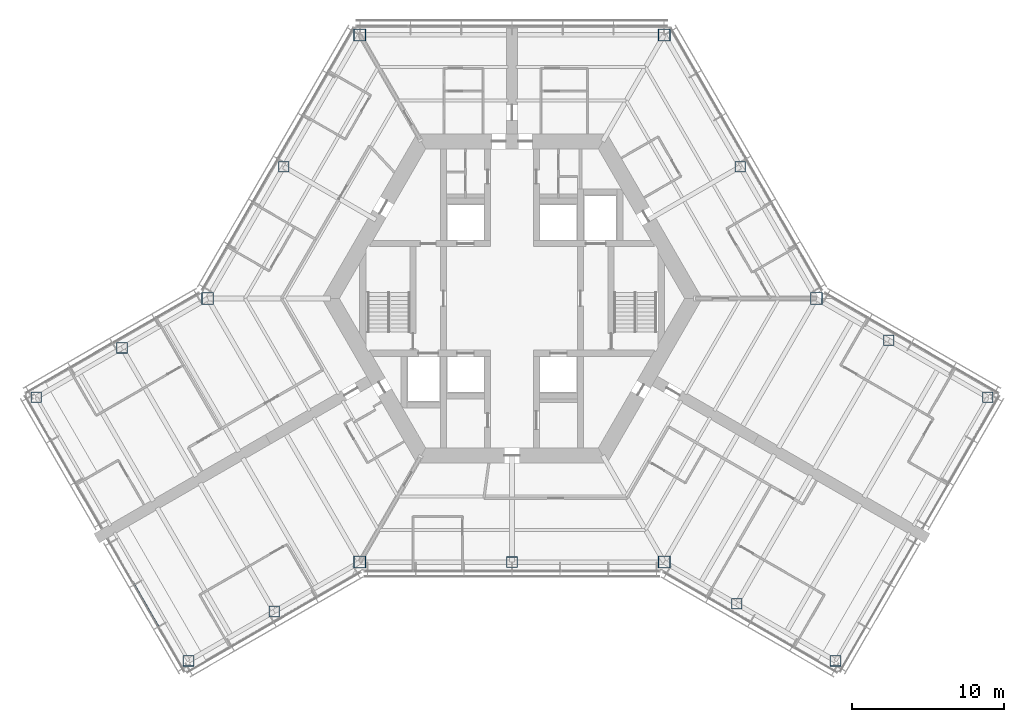
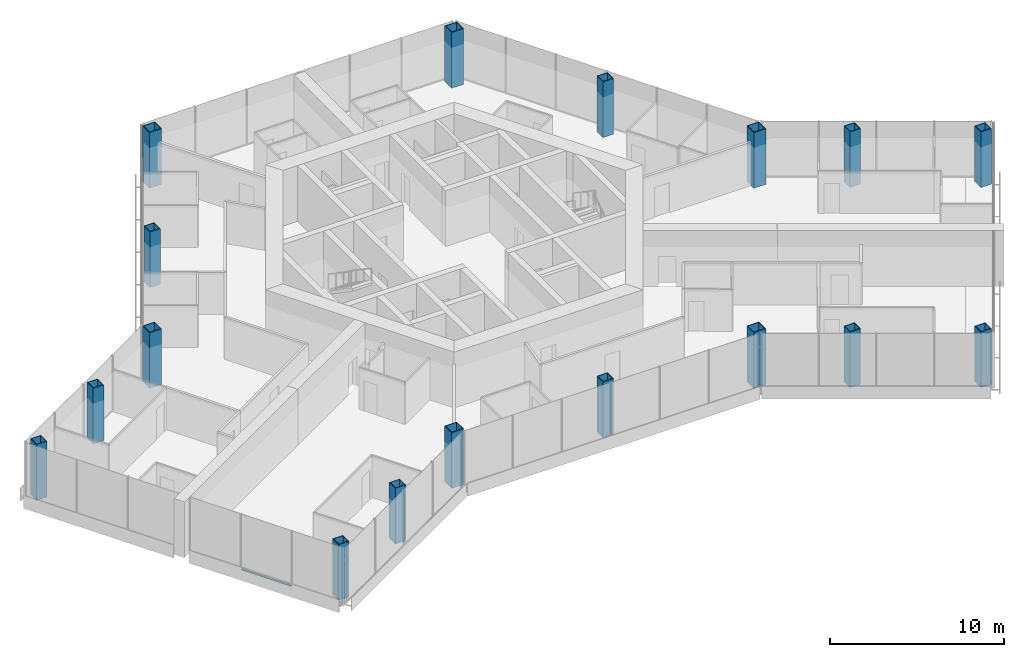
# One storey, part 1 of 18: 17 columns, 1 member, 1 element without a shape of its own.
"""IFC4 building model written with IfcOpenShell, lengths in metres."""

from ifc_helpers import new_model, si_unit, direction, frame, origin, origin_2d, place, context, subcontext, project, spatial, rectangle, hollow_rectangle, extrude, material, material_profile, profile_set, type_object, element, aggregate, save


model = new_model("IFC4")

# Units and contexts
model_context = context("Model", 3, precision=1e-05, world=origin(), true_north=direction((0.0, 1.0)))
body_context = subcontext(model_context, "Body", "Model", "MODEL_VIEW")
ifc_project = project(units=[si_unit("LENGTHUNIT", "METRE"), si_unit("AREAUNIT", "SQUARE_METRE"), si_unit("VOLUMEUNIT", "CUBIC_METRE"), si_unit("PLANEANGLEUNIT", "RADIAN"), si_unit("MASSUNIT", "GRAM", prefix="KILO")], contexts=[model_context])

# Site, building, storey
site_placement = place(None, origin())
site = spatial("IfcSite", under=ifc_project, at=site_placement, CompositionType="ELEMENT")
building_placement = place(site_placement, origin())
building = spatial("IfcBuilding", under=site, at=building_placement, Name="Kasaneha Research Tower", CompositionType="ELEMENT")
storey_placement = place(building_placement, frame((0.0, 0.0, 140.89990234375)))
storey = spatial("IfcBuildingStorey", under=building, at=storey_placement, Name="L35", CompositionType="ELEMENT", Elevation=140.89990234375)

# Columns
ifc_material_1 = material(Name="Steel SN490C", Category="steel")
ifc_material_profile_1 = material_profile(ifc_material_1, hollow_rectangle(XDim=0.800048828125, YDim=0.800048828125, WallThickness=0.044921875, at=origin_2d()), Name="BOX-800x800x45")
ifc_profile_set_1 = profile_set([ifc_material_profile_1], Name="Steel SN490C")
column_type_1 = type_object("IfcColumnType", Name="C3A column BOX-800x800x45", PredefinedType="COLUMN", material=ifc_profile_set_1)
for number, where, z_axis, x_axis, name in (
    (1, (20.0, 0.0, 0.0), (0.0, 0.0, 1.0), (1.0, 0.0, 0.0), "Column V0 L35"),
    (2, (10.0, 17.320556640625, 0.0), (0.0, 0.0, 1.0), (1.0, 0.0, 0.0), "Column V1 L35"),
    (3, (-10.0, 17.320556640625, 0.0), (0.0, 0.0, 1.0), (1.0, 0.0, 0.0), "Column V2 L35"),
    (4, (-20.0, 0.0, 0.0), (0.0, 0.0, 1.0), (1.0, 0.0, 0.0), "Column V3 L35"),
    (5, (-10.0, -17.320556640625, 0.0), (0.0, 0.0, 1.0), (1.0, 0.0, 0.0), "Column V4 L35"),
    (6, (10.0, -17.320556640625, 0.0), (0.0, 0.0, 1.0), (1.0, 0.0, 0.0), "Column V5 L35"),
):
    element("IfcColumn", number, at=place(storey_placement, frame(where, z_axis=z_axis, x_axis=x_axis)), inside=storey, type_object=column_type_1, Name=name, PredefinedType="COLUMN", context=body_context, shape_type="SweptSolid", body=[
        extrude(hollow_rectangle(XDim=0.800048828125, YDim=0.800048828125, WallThickness=0.044921875, at=origin_2d()), origin(), (0.0, 0.0, 1.0), 3.900146484375),
    ])
ifc_material_2 = material(Name="Steel SN490C", Category="steel")
ifc_material_profile_2 = material_profile(ifc_material_2, hollow_rectangle(XDim=0.699951171875, YDim=0.699951171875, WallThickness=0.035888671875, at=origin_2d()), Name="BOX-700x700x36")
ifc_profile_set_2 = profile_set([ifc_material_profile_2], Name="Steel SN490C")
column_type_2 = type_object("IfcColumnType", Name="C3B column BOX-700x700x36", PredefinedType="COLUMN", material=ifc_profile_set_2)
for number, where, z_axis, x_axis, name in (
    (7, (15.0, 8.66015625, 0.0), (0.0, 0.0, 1.0), (1.0, 0.0, 0.0), "Column M030 L35"),
    (8, (-15.0, 8.66015625, 0.0), (0.0, 0.0, 1.0), (1.0, 0.0, 0.0), "Column M150 L35"),
    (9, (0.0, -17.320556640625, 0.0), (0.0, 0.0, 1.0), (1.0, 0.0, 0.0), "Column M270 L35"),
    (10, (-25.629150390625, -3.25, 0.0), (0.0, 0.0, 1.0), (1.0, 0.0, 0.0), "Column BSP L35"),
    (11, (-31.25830078125, -6.5, 0.0), (0.0, 0.0, 1.0), (1.0, 0.0, 0.0), "Column BTP L35"),
    (12, (-15.629150390625, -20.570556640625, 0.0), (0.0, 0.0, 1.0), (1.0, 0.0, 0.0), "Column BSN L35"),
    (13, (-21.25830078125, -23.820556640625, 0.0), (0.0, 0.0, 1.0), (1.0, 0.0, 0.0), "Column BTN L35"),
    (14, (14.76318359375, -20.070556640625, 0.0), (0.0, 0.0, 1.0), (1.0, 0.0, 0.0), "Column CSP L35"),
    (15, (21.25830078125, -23.820556640625, 0.0), (0.0, 0.0, 1.0), (1.0, 0.0, 0.0), "Column CTP L35"),
    (16, (24.76318359375, -2.75, 0.0), (0.0, 0.0, 1.0), (1.0, 0.0, 0.0), "Column CSN L35"),
    (17, (31.25830078125, -6.5, 0.0), (0.0, 0.0, 1.0), (1.0, 0.0, 0.0), "Column CTN L35"),
):
    element("IfcColumn", number, at=place(storey_placement, frame(where, z_axis=z_axis, x_axis=x_axis)), inside=storey, type_object=column_type_2, Name=name, PredefinedType="COLUMN", context=body_context, shape_type="SweptSolid", body=[
        extrude(hollow_rectangle(XDim=0.699951171875, YDim=0.699951171875, WallThickness=0.035888671875, at=origin_2d()), origin(), (0.0, 0.0, 1.0), 3.900146484375),
    ])

# Curtain wall, member
ifc_material_3 = material(Name="Glass and aluminium", Category="aluminium")
curtain_wall_type = type_object("IfcCurtainWallType", Name="Mid-rise office curtain wall", PredefinedType="USERDEFINED", material=ifc_material_3)
curtain_wall_placement = place(storey_placement, origin())
curtain_wall = element("IfcCurtainWall", 18, at=curtain_wall_placement, inside=storey, type_object=curtain_wall_type, Name="CW-O2 L35 run 11a", ObjectType="UNITISED CURTAIN WALL", PredefinedType="USERDEFINED")
ifc_material_4 = material(Name="Aluminium 6063-T6", Category="aluminium")
ifc_material_profile_3 = material_profile(ifc_material_4, rectangle(XDim=0.110107421875, YDim=0.06005859375, at=origin_2d()), Name="CW-O2 transom 110x60")
ifc_profile_set_3 = profile_set([ifc_material_profile_3], Name="Aluminium 6063-T6")
member_type = type_object("IfcMemberType", Name="CW-O2 transom", PredefinedType="USERDEFINED", material=ifc_profile_set_3)
member_placement = place(storey_placement, frame((-24.896240234375, -18.719482421875, 0.030029296875), z_axis=(0.500010745865, -0.866019199568, 0.0), x_axis=(0.866019199568, 0.500010745865, 0.0)))
member = element("IfcMember", 19, at=member_placement, type_object=member_type, Name="CW-O2 transom 2", ObjectType="TRANSOM", PredefinedType="USERDEFINED", context=body_context, shape_type="SweptSolid", body=[
    extrude(rectangle(XDim=0.110107421875, YDim=0.06005859375, at=origin_2d()), origin(), (0.0, 0.0, 1.0), 3.3232421875),
])
aggregate(curtain_wall, [member])

save(model, "model.ifc")
